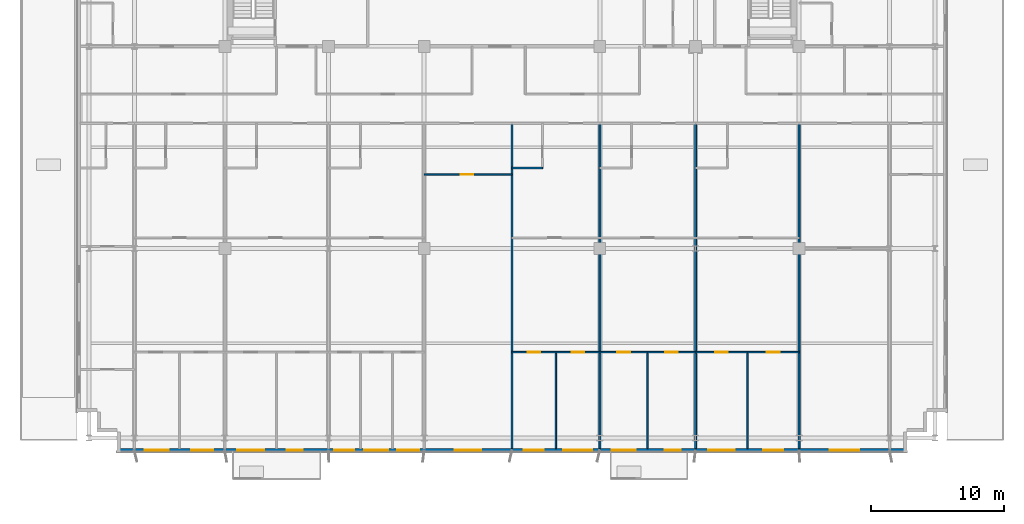
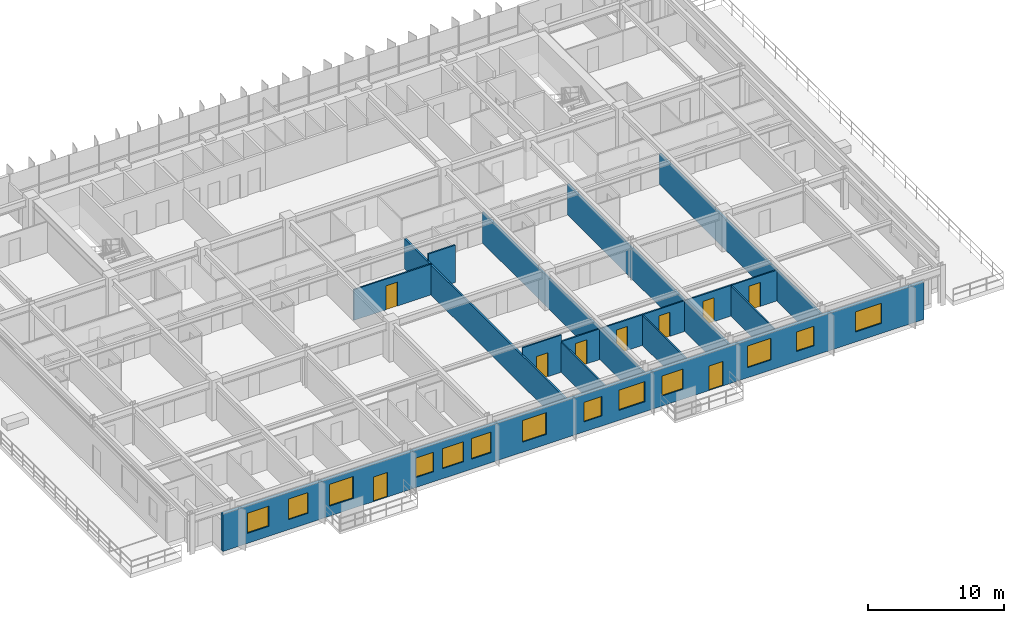
# One storey, part 18 of 26: 16 walls, 13 windows, 9 doors, 22 openings.
"""IFC4 building model written with IfcOpenShell, lengths in metres."""

import ifcopenshell
import ifcopenshell.guid

model = None  # the IFC model being written
_history = None  # IfcOwnerHistory: only IFC2X3 demands one
_inside = {}  # id of a spatial element -> (the spatial element, [elements in it])
_under = {}  # id of a project, library or spatial element -> (it, [spatial elements below it])
_declared = {}  # id of a project -> (the project, [libraries it declares])
_typed = {}  # id of a type object -> (the type object, [elements of that type])
_made_of = {}  # id of a material, layer set ... -> (it, [elements and type objects made of it])


def new_model(schema):
    """Start an empty IFC model of exactly this schema.

    Asked for "IFC4X3", IfcOpenShell would pick the latest addendum, in which some entities
    have other attributes; the version numbers below select the first issue.
    IFC2X3 requires an IfcOwnerHistory on every rooted entity: one is made here for all.
    """
    global model, _history
    if schema == "IFC4X3":
        model = ifcopenshell.file(schema_version=(4, 3, 0, 0))
    else:
        model = ifcopenshell.file(schema=schema)
    _inside.clear()
    _under.clear()
    _declared.clear()
    _typed.clear()
    _made_of.clear()
    _history = None
    if model.schema == "IFC2X3":
        org = make("IfcOrganization", Name="unknown")
        user = make(
            "IfcPersonAndOrganization",
            ThePerson=make("IfcPerson", FamilyName="unknown"),
            TheOrganization=org,
        )
        app = make(
            "IfcApplication",
            ApplicationDeveloper=org,
            Version="unknown",
            ApplicationFullName="unknown",
            ApplicationIdentifier="unknown",
        )
        _history = make(
            "IfcOwnerHistory",
            OwningUser=user,
            OwningApplication=app,
            ChangeAction="ADDED",
            CreationDate=0,
        )
    return model


def make(cls, **values):
    """One entity of the class cls with the attributes given. An attribute that is None is left unset."""
    return model.create_entity(
        cls, **{name: value for name, value in values.items() if value is not None}
    )


def rooted(cls, **values):
    """An entity with a GlobalId (a new one), such as an element, a storey or a relation."""
    return make(cls, GlobalId=ifcopenshell.guid.new(), OwnerHistory=_history, **values)


def si_unit(unit_type, name, prefix=None):
    """IfcSIUnit, for example si_unit("LENGTHUNIT", "METRE", prefix="MILLI")."""
    return make("IfcSIUnit", UnitType=unit_type, Prefix=prefix, Name=name)


def assignment(units):
    """IfcUnitAssignment: the units of a project."""
    return None if units is None else make("IfcUnitAssignment", Units=units)


def point(xyz):
    """IfcCartesianPoint."""
    return None if xyz is None else make("IfcCartesianPoint", Coordinates=xyz)


def direction(xyz):
    """IfcDirection."""
    return None if xyz is None else make("IfcDirection", DirectionRatios=xyz)


def frame(location, z_axis=None, x_axis=None):
    """IfcAxis2Placement3D, a coordinate frame: its origin and axes. An axis left out is left unset."""
    return make(
        "IfcAxis2Placement3D",
        Location=point(location),
        Axis=direction(z_axis),
        RefDirection=direction(x_axis),
    )


def frame_2d(location, x_axis=None):
    """IfcAxis2Placement2D, a coordinate frame in the plane: its origin and x axis."""
    return make(
        "IfcAxis2Placement2D", Location=point(location), RefDirection=direction(x_axis)
    )


def origin():
    """The frame at (0, 0, 0) with its axes left unset."""
    return frame((0.0, 0.0, 0.0))


def place(relative_to, where):
    """IfcLocalPlacement: puts the frame where relative to a parent placement (None: the world)."""
    return make(
        "IfcLocalPlacement", PlacementRelTo=relative_to, RelativePlacement=where
    )


def context(
    kind, dimensions, precision=None, world=None, true_north=None, identifier=None
):
    """IfcGeometricRepresentationContext, for example the 3D "Model" context."""
    return make(
        "IfcGeometricRepresentationContext",
        ContextIdentifier=identifier,
        ContextType=kind,
        CoordinateSpaceDimension=dimensions,
        Precision=precision,
        WorldCoordinateSystem=world,
        TrueNorth=true_north,
    )


def subcontext(parent, identifier, kind, view, scale=None):
    """IfcGeometricRepresentationSubContext, for example "Body" below "Model"."""
    return make(
        "IfcGeometricRepresentationSubContext",
        ContextIdentifier=identifier,
        ContextType=kind,
        ParentContext=parent,
        TargetScale=scale,
        TargetView=view,
    )


def project(units=None, contexts=None):
    """IfcProject with its units and contexts."""
    return rooted(
        "IfcProject",
        Name="project",
        RepresentationContexts=contexts,
        UnitsInContext=assignment(units),
    )


def spatial(cls, under=None, at=None, **own):
    """A site, building, storey or space (cls), placed at a placement, below another one or the project."""
    s = rooted(cls, ObjectPlacement=at, **own)
    if under is not None:
        _under.setdefault(under.id(), (under, []))[1].append(s)
    return s


def profile(cls, at=None, kind="AREA", **sizes):
    """A parametric profile (cls). Its sizes go by their IFC names, for example OverallWidth=200.0."""
    return make(cls, ProfileType=kind, Position=at, **sizes)


def rectangle(**sizes):
    """IfcRectangleProfileDef."""
    return profile("IfcRectangleProfileDef", **sizes)


def extrude(swept, where, along, depth):
    """IfcExtrudedAreaSolid: the profile swept, set in the frame where, extruded along a direction by depth."""
    return make(
        "IfcExtrudedAreaSolid",
        SweptArea=swept,
        Position=where,
        ExtrudedDirection=direction(along),
        Depth=depth,
    )


def shape(context_of_items, identifier, shape_type, items):
    """IfcShapeRepresentation: the items that make up one representation, for example the "Body"."""
    return make(
        "IfcShapeRepresentation",
        ContextOfItems=context_of_items,
        RepresentationIdentifier=identifier,
        RepresentationType=shape_type,
        Items=items,
    )


def source(mapping_origin, context_of_items, identifier, shape_type, items):
    """IfcRepresentationMap: a shape defined once, which mapped items show again and again."""
    return make(
        "IfcRepresentationMap",
        MappingOrigin=mapping_origin,
        MappedRepresentation=shape(context_of_items, identifier, shape_type, items),
    )


def transform(
    local_origin,
    x_axis=None,
    y_axis=None,
    z_axis=None,
    scale=None,
    scale2=None,
    scale3=None,
    uniform=True,
):
    """IfcCartesianTransformationOperator3D, or its non-uniform kind. x_axis, y_axis, z_axis: its Axis1, 2, 3."""
    if uniform:
        return make(
            "IfcCartesianTransformationOperator3D",
            Axis1=direction(x_axis),
            Axis2=direction(y_axis),
            LocalOrigin=point(local_origin),
            Scale=scale,
            Axis3=direction(z_axis),
        )
    return make(
        "IfcCartesianTransformationOperator3DnonUniform",
        Axis1=direction(x_axis),
        Axis2=direction(y_axis),
        LocalOrigin=point(local_origin),
        Scale=scale,
        Axis3=direction(z_axis),
        Scale2=scale2,
        Scale3=scale3,
    )


def mapped(mapping_source, mapping_target):
    """IfcMappedItem: shows the shape of a source again, moved by a transform."""
    return make(
        "IfcMappedItem", MappingSource=mapping_source, MappingTarget=mapping_target
    )


def material(Name=None, Category=None):
    """IfcMaterial."""
    return make("IfcMaterial", Name=Name, Category=Category)


def layer(
    of_material, thickness, ventilated=None, Name=None, Category=None, Priority=None
):
    """IfcMaterialLayer: one layer of a wall or slab, of a material (None: an air gap)."""
    return make(
        "IfcMaterialLayer",
        Material=of_material,
        LayerThickness=thickness,
        IsVentilated=ventilated,
        Name=Name,
        Category=Category,
        Priority=Priority,
    )


def layer_set(layers, Name=None):
    """IfcMaterialLayerSet."""
    return make("IfcMaterialLayerSet", MaterialLayers=layers, LayerSetName=Name)


def made_of(thing, what):
    """Note that an element or type object is made of a material, layer set ...; save() writes the relation."""
    if what is not None:
        _made_of.setdefault(what.id(), (what, []))[1].append(thing)
    return thing


def type_object(cls, material=None, **own):
    """A type object (cls), such as IfcWallType, which elements share."""
    return made_of(rooted(cls, **own), material)


def element(
    cls,
    number,
    at=None,
    inside=None,
    cuts=None,
    type_object=None,
    material=None,
    context=None,
    identifier="Body",
    shape_type=None,
    held_by="IfcProductDefinitionShape",
    body=None,
    shapes=None,
    **own,
):
    """One element of the class cls, such as IfcWall. Its Tag is "e" and its number.

    at: its placement. inside: the storey or other place that contains it. cuts: it is an
    opening in that element (IfcRelVoidsElement). A single representation is given by context,
    identifier, shape_type and body (its items); several are given by shapes. held_by: the class
    of the entity that holds the representations. save() writes the other relations.
    """
    e = rooted(cls, Tag="e%d" % number, ObjectPlacement=at, **own)
    if body is not None:
        shapes = [shape(context, identifier, shape_type, body)]
    if shapes is not None:
        e.Representation = make(held_by, Representations=shapes)
    if inside is not None:
        _inside.setdefault(inside.id(), (inside, []))[1].append(e)
    if cuts is not None:
        rooted(
            "IfcRelVoidsElement", RelatingBuildingElement=cuts, RelatedOpeningElement=e
        )
    if type_object is not None:
        _typed.setdefault(type_object.id(), (type_object, []))[1].append(e)
    return made_of(e, material)


def fill(opening, filler):
    """IfcRelFillsElement: the door or window that sits in an opening."""
    return rooted(
        "IfcRelFillsElement",
        RelatingOpeningElement=opening,
        RelatedBuildingElement=filler,
    )


def aggregate(whole, parts):
    """IfcRelAggregates: a whole, such as a stair, and the parts it consists of."""
    return rooted("IfcRelAggregates", RelatingObject=whole, RelatedObjects=parts)


def save(model, path):
    """Write the relations noted so far, then the file.

    IfcRelAggregates (storeys below a building ...), IfcRelContainedInSpatialStructure (elements
    in a storey), IfcRelDefinesByType, IfcRelAssociatesMaterial and IfcRelDeclares: one each for
    every whole, place, type object, material and project.
    """
    for whole, parts in _under.values():
        aggregate(whole, parts)
    for where, things in _inside.values():
        rooted(
            "IfcRelContainedInSpatialStructure",
            RelatedElements=things,
            RelatingStructure=where,
        )
    for kind, things in _typed.values():
        rooted("IfcRelDefinesByType", RelatedObjects=things, RelatingType=kind)
    for what, things in _made_of.values():
        rooted("IfcRelAssociatesMaterial", RelatedObjects=things, RelatingMaterial=what)
    for by, libraries in _declared.values():
        rooted("IfcRelDeclares", RelatingContext=by, RelatedDefinitions=libraries)
    model.write(path)


model = new_model("IFC4")

# Units and contexts
model_context = context("Model", 3, precision=1e-05, world=origin(), true_north=direction((0.0, 1.0)))
body_context = subcontext(model_context, "Body", "Model", "MODEL_VIEW")
ifc_project = project(units=[si_unit("LENGTHUNIT", "METRE"), si_unit("AREAUNIT", "SQUARE_METRE"), si_unit("VOLUMEUNIT", "CUBIC_METRE"), si_unit("PLANEANGLEUNIT", "RADIAN"), si_unit("MASSUNIT", "GRAM", prefix="KILO")], contexts=[model_context])

# Site, building, storey
site_placement = place(None, origin())
site = spatial("IfcSite", under=ifc_project, at=site_placement, CompositionType="ELEMENT")
building_placement = place(site_placement, origin())
building = spatial("IfcBuilding", under=site, at=building_placement, Name="Trelvane Seafront Commons", CompositionType="ELEMENT")
storey_placement = place(building_placement, frame((0.0, 0.0, 23.5)))
storey = spatial("IfcBuildingStorey", under=building, at=storey_placement, Name="L05", CompositionType="ELEMENT", Elevation=23.5)

# Wall, openings, doors, windows
ifc_material_1 = material(Name="Precast concrete C40/50", Category="concrete")
ifc_layer_1 = layer(ifc_material_1, 0.260009765625, Name="ARCH-WALL-EXT260")
ifc_layer_set_1 = layer_set([ifc_layer_1], Name="Precast concrete C40/50")
wall_type_1 = type_object("IfcWallType", Name="ARCH-WALL-EXT260", PredefinedType="SOLIDWALL", material=ifc_layer_set_1)
wall_1_placement = place(storey_placement, frame((66.89990234375, 3.030029296875, 0.0), z_axis=(0.0, 0.0, 1.0), x_axis=(-1.0, 0.0, 0.0)))
wall_1 = element("IfcWall", 1, at=wall_1_placement, inside=storey, type_object=wall_type_1, Name="EW-L05-00064", PredefinedType="SOLIDWALL", context=body_context, shape_type="SweptSolid", body=[
    extrude(rectangle(XDim=59.39990234375, YDim=0.260009765625, at=frame_2d((29.699951171875, 0.0))), origin(), (0.0, 0.0, 1.0), 3.340087890625),
])
opening_1_placement = place(wall_1_placement, frame((3.60009765625, 0.0, 0.89990234375)))
opening_1 = element("IfcOpeningElement", 2, at=opening_1_placement, cuts=wall_1, Name="Opening W02", PredefinedType="OPENING", context=body_context, shape_type="SweptSolid", body=[
    extrude(rectangle(XDim=2.199951171875, YDim=1.800048828125, at=frame_2d((1.10009765625, 0.89990234375))), frame((0.0, 0.139892578125, 0.0), z_axis=(0.0, -1.0, 0.0), x_axis=(1.0, 0.0, 0.0)), (0.0, 0.0, 1.0), 0.280029296875),
])
opening_2_placement = place(wall_1_placement, frame((9.300048828125, 0.0, 0.89990234375)))
opening_2 = element("IfcOpeningElement", 3, at=opening_2_placement, cuts=wall_1, Name="Opening W03", PredefinedType="OPENING", context=body_context, shape_type="SweptSolid", body=[
    extrude(rectangle(XDim=1.5, YDim=1.75, at=frame_2d((0.75, 0.875))), frame((0.0, 0.139892578125, 0.0), z_axis=(0.0, -1.0, 0.0), x_axis=(1.0, 0.0, 0.0)), (0.0, 0.0, 1.0), 0.280029296875),
])
opening_3_placement = place(wall_1_placement, frame((12.949951171875, 0.0, 0.89990234375)))
opening_3 = element("IfcOpeningElement", 4, at=opening_3_placement, cuts=wall_1, Name="Opening W06", PredefinedType="OPENING", context=body_context, shape_type="SweptSolid", body=[
    extrude(rectangle(XDim=2.0, YDim=1.949951171875, at=frame_2d((1.0, 0.97509765625))), frame((0.0, 0.139892578125, 0.0), z_axis=(0.0, -1.0, 0.0), x_axis=(1.0, 0.0, 0.0)), (0.0, 0.0, 1.0), 0.280029296875),
])
opening_4_placement = place(wall_1_placement, frame((17.007080078125, 0.0, 0.0)))
opening_4 = element("IfcOpeningElement", 5, at=opening_4_placement, cuts=wall_1, Name="Opening BD-L05-15", PredefinedType="OPENING", context=body_context, shape_type="SweptSolid", body=[
    extrude(rectangle(XDim=1.199951171875, YDim=2.199951171875, at=frame_2d((0.60009765625, 1.10009765625))), frame((0.0, 0.139892578125, 0.0), z_axis=(0.0, -1.0, 0.0), x_axis=(1.0, 0.0, 0.0)), (0.0, 0.0, 1.0), 0.280029296875),
])
opening_5_placement = place(wall_1_placement, frame((20.39990234375, 0.0, 0.89990234375)))
opening_5 = element("IfcOpeningElement", 6, at=opening_5_placement, cuts=wall_1, Name="Opening W01", PredefinedType="OPENING", context=body_context, shape_type="SweptSolid", body=[
    extrude(rectangle(XDim=1.800048828125, YDim=1.800048828125, at=frame_2d((0.89990234375, 0.89990234375))), frame((0.0, 0.139892578125, 0.0), z_axis=(0.0, -1.0, 0.0), x_axis=(1.0, 0.0, 0.0)), (0.0, 0.0, 1.0), 0.280029296875),
])
opening_6_placement = place(wall_1_placement, frame((23.64990234375, 0.0, 0.89990234375)))
opening_6 = element("IfcOpeningElement", 7, at=opening_6_placement, cuts=wall_1, Name="Opening W02", PredefinedType="OPENING", context=body_context, shape_type="SweptSolid", body=[
    extrude(rectangle(XDim=2.199951171875, YDim=1.800048828125, at=frame_2d((1.10009765625, 0.89990234375))), frame((0.0, 0.139892578125, 0.0), z_axis=(0.0, -1.0, 0.0), x_axis=(1.0, 0.0, 0.0)), (0.0, 0.0, 1.0), 0.280029296875),
])
opening_7_placement = place(wall_1_placement, frame((27.300048828125, 0.0, 0.89990234375)))
opening_7 = element("IfcOpeningElement", 8, at=opening_7_placement, cuts=wall_1, Name="Opening W03", PredefinedType="OPENING", context=body_context, shape_type="SweptSolid", body=[
    extrude(rectangle(XDim=1.5, YDim=1.75, at=frame_2d((0.75, 0.875))), frame((0.0, 0.139892578125, 0.0), z_axis=(0.0, -1.0, 0.0), x_axis=(1.0, 0.0, 0.0)), (0.0, 0.0, 1.0), 0.280029296875),
])
opening_8_placement = place(wall_1_placement, frame((32.0, 0.0, 0.89990234375)))
opening_8 = element("IfcOpeningElement", 9, at=opening_8_placement, cuts=wall_1, Name="Opening W06", PredefinedType="OPENING", context=body_context, shape_type="SweptSolid", body=[
    extrude(rectangle(XDim=2.0, YDim=1.949951171875, at=frame_2d((1.0, 0.97509765625))), frame((0.0, 0.139892578125, 0.0), z_axis=(0.0, -1.0, 0.0), x_axis=(1.0, 0.0, 0.0)), (0.0, 0.0, 1.0), 0.280029296875),
])
opening_9_placement = place(wall_1_placement, frame((36.675048828125, 0.0, 0.89990234375)))
opening_9 = element("IfcOpeningElement", 10, at=opening_9_placement, cuts=wall_1, Name="Opening W07", PredefinedType="OPENING", context=body_context, shape_type="SweptSolid", body=[
    extrude(rectangle(XDim=1.64990234375, YDim=1.85009765625, at=frame_2d((0.824951171875, 0.925048828125))), frame((0.0, 0.139892578125, 0.0), z_axis=(0.0, -1.0, 0.0), x_axis=(1.0, 0.0, 0.0)), (0.0, 0.0, 1.0), 0.280029296875),
])
opening_10_placement = place(wall_1_placement, frame((39.0, 0.0, 0.89990234375)))
opening_10 = element("IfcOpeningElement", 11, at=opening_10_placement, cuts=wall_1, Name="Opening W01", PredefinedType="OPENING", context=body_context, shape_type="SweptSolid", body=[
    extrude(rectangle(XDim=1.800048828125, YDim=1.800048828125, at=frame_2d((0.89990234375, 0.89990234375))), frame((0.0, 0.139892578125, 0.0), z_axis=(0.0, -1.0, 0.0), x_axis=(1.0, 0.0, 0.0)), (0.0, 0.0, 1.0), 0.280029296875),
])
opening_11_placement = place(wall_1_placement, frame((41.550048828125, 0.0, 0.89990234375)))
opening_11 = element("IfcOpeningElement", 12, at=opening_11_placement, cuts=wall_1, Name="Opening W03", PredefinedType="OPENING", context=body_context, shape_type="SweptSolid", body=[
    extrude(rectangle(XDim=1.5, YDim=1.75, at=frame_2d((0.75, 0.875))), frame((0.0, 0.139892578125, 0.0), z_axis=(0.0, -1.0, 0.0), x_axis=(1.0, 0.0, 0.0)), (0.0, 0.0, 1.0), 0.280029296875),
])
opening_12_placement = place(wall_1_placement, frame((45.43505859375, 0.0, 0.0)))
opening_12 = element("IfcOpeningElement", 13, at=opening_12_placement, cuts=wall_1, Name="Opening BD-L05-16", PredefinedType="OPENING", context=body_context, shape_type="SweptSolid", body=[
    extrude(rectangle(XDim=1.199951171875, YDim=2.199951171875, at=frame_2d((0.60009765625, 1.10009765625))), frame((0.0, 0.139892578125, 0.0), z_axis=(0.0, -1.0, 0.0), x_axis=(1.0, 0.0, 0.0)), (0.0, 0.0, 1.0), 0.280029296875),
])
opening_13_placement = place(wall_1_placement, frame((48.35009765625, 0.0, 0.89990234375)))
opening_13 = element("IfcOpeningElement", 14, at=opening_13_placement, cuts=wall_1, Name="Opening W06", PredefinedType="OPENING", context=body_context, shape_type="SweptSolid", body=[
    extrude(rectangle(XDim=2.0, YDim=1.949951171875, at=frame_2d((1.0, 0.97509765625))), frame((0.0, 0.139892578125, 0.0), z_axis=(0.0, -1.0, 0.0), x_axis=(1.0, 0.0, 0.0)), (0.0, 0.0, 1.0), 0.280029296875),
])
opening_14_placement = place(wall_1_placement, frame((52.175048828125, 0.0, 0.89990234375)))
opening_14 = element("IfcOpeningElement", 15, at=opening_14_placement, cuts=wall_1, Name="Opening W07", PredefinedType="OPENING", context=body_context, shape_type="SweptSolid", body=[
    extrude(rectangle(XDim=1.64990234375, YDim=1.85009765625, at=frame_2d((0.824951171875, 0.925048828125))), frame((0.0, 0.139892578125, 0.0), z_axis=(0.0, -1.0, 0.0), x_axis=(1.0, 0.0, 0.0)), (0.0, 0.0, 1.0), 0.280029296875),
])
opening_15_placement = place(wall_1_placement, frame((55.5, 0.0, 0.89990234375)))
opening_15 = element("IfcOpeningElement", 16, at=opening_15_placement, cuts=wall_1, Name="Opening W01", PredefinedType="OPENING", context=body_context, shape_type="SweptSolid", body=[
    extrude(rectangle(XDim=1.800048828125, YDim=1.800048828125, at=frame_2d((0.89990234375, 0.89990234375))), frame((0.0, 0.139892578125, 0.0), z_axis=(0.0, -1.0, 0.0), x_axis=(1.0, 0.0, 0.0)), (0.0, 0.0, 1.0), 0.280029296875),
])
ifc_material_2 = material(Name="Powder-coated aluminium frame", Category="aluminium")
door_type_1 = type_object("IfcDoorType", Name="ARCH-DR-BAL1200", OperationType="NOTDEFINED", PredefinedType="DOOR", material=ifc_material_2)
shared_shape_1 = source(origin(), body_context, "Body", "SweptSolid", [
    extrude(rectangle(XDim=1.199951171875, YDim=2.199951171875, at=frame_2d((0.60009765625, 1.10009765625))), frame((0.0, 0.02490234375, 0.0), z_axis=(0.0, -1.0, 0.0), x_axis=(1.0, 0.0, 0.0)), (0.0, 0.0, 1.0), 0.050048828125),
])
door_1_placement = place(opening_4_placement, origin())
door_1 = element("IfcDoor", 17, at=door_1_placement, inside=storey, type_object=door_type_1, Name="L05 Balcony Terrace Access Door", OperationType="SINGLE_SWING_LEFT", OverallHeight=2.199951171875, OverallWidth=1.199951171875, PredefinedType="DOOR", context=body_context, shape_type="MappedRepresentation", body=[
    mapped(shared_shape_1, transform((0.0, 0.0, 0.0), x_axis=(1.0, 0.0, 0.0), y_axis=(0.0, 1.0, 0.0), z_axis=(0.0, 0.0, 1.0), scale=1.0)),
])
fill(opening_4, door_1)
door_2_placement = place(opening_12_placement, origin())
door_2 = element("IfcDoor", 18, at=door_2_placement, inside=storey, type_object=door_type_1, Name="L05 Balcony Terrace Access Door", OperationType="SINGLE_SWING_LEFT", OverallHeight=2.199951171875, OverallWidth=1.199951171875, PredefinedType="DOOR", context=body_context, shape_type="MappedRepresentation", body=[
    mapped(shared_shape_1, transform((0.0, 0.0, 0.0), x_axis=(1.0, 0.0, 0.0), y_axis=(0.0, 1.0, 0.0), z_axis=(0.0, 0.0, 1.0), scale=1.0)),
])
fill(opening_12, door_2)
ifc_material_3 = material(Name="Low-E coastal double glazing", Category="glass")
window_type_1 = type_object("IfcWindowType", Name="ARCH-WIN-W02", PartitioningType="SINGLE_PANEL", PredefinedType="WINDOW", material=ifc_material_3)
shared_shape_2 = source(origin(), body_context, "Body", "SweptSolid", [
    extrude(rectangle(XDim=2.199951171875, YDim=1.800048828125, at=frame_2d((1.10009765625, 0.89990234375))), frame((0.0, 0.030029296875, 0.0), z_axis=(0.0, -1.0, 0.0), x_axis=(1.0, 0.0, 0.0)), (0.0, 0.0, 1.0), 0.06005859375),
])
window_1_placement = place(opening_1_placement, origin())
window_1 = element("IfcWindow", 19, at=window_1_placement, inside=storey, type_object=window_type_1, Name="WIN-L05-00087", OverallHeight=1.800048828125, OverallWidth=2.199951171875, PartitioningType="SINGLE_PANEL", PredefinedType="WINDOW", context=body_context, shape_type="MappedRepresentation", body=[
    mapped(shared_shape_2, transform((0.0, 0.0, 0.0), x_axis=(1.0, 0.0, 0.0), y_axis=(0.0, 1.0, 0.0), z_axis=(0.0, 0.0, 1.0), scale=1.0)),
])
fill(opening_1, window_1)
window_2_placement = place(opening_6_placement, origin())
window_2 = element("IfcWindow", 20, at=window_2_placement, inside=storey, type_object=window_type_1, Name="WIN-L05-00091", OverallHeight=1.800048828125, OverallWidth=2.199951171875, PartitioningType="SINGLE_PANEL", PredefinedType="WINDOW", context=body_context, shape_type="MappedRepresentation", body=[
    mapped(shared_shape_2, transform((0.0, 0.0, 0.0), x_axis=(1.0, 0.0, 0.0), y_axis=(0.0, 1.0, 0.0), z_axis=(0.0, 0.0, 1.0), scale=1.0)),
])
fill(opening_6, window_2)
window_type_2 = type_object("IfcWindowType", Name="ARCH-WIN-W03", PartitioningType="SINGLE_PANEL", PredefinedType="WINDOW", material=ifc_material_3)
shared_shape_3 = source(origin(), body_context, "Body", "SweptSolid", [
    extrude(rectangle(XDim=1.5, YDim=1.75, at=frame_2d((0.75, 0.875))), frame((0.0, 0.030029296875, 0.0), z_axis=(0.0, -1.0, 0.0), x_axis=(1.0, 0.0, 0.0)), (0.0, 0.0, 1.0), 0.06005859375),
])
window_3_placement = place(opening_2_placement, origin())
window_3 = element("IfcWindow", 21, at=window_3_placement, inside=storey, type_object=window_type_2, Name="WIN-L05-00088", OverallHeight=1.75, OverallWidth=1.5, PartitioningType="SINGLE_PANEL", PredefinedType="WINDOW", context=body_context, shape_type="MappedRepresentation", body=[
    mapped(shared_shape_3, transform((0.0, 0.0, 0.0), x_axis=(1.0, 0.0, 0.0), y_axis=(0.0, 1.0, 0.0), z_axis=(0.0, 0.0, 1.0), scale=1.0)),
])
fill(opening_2, window_3)
window_4_placement = place(opening_7_placement, origin())
window_4 = element("IfcWindow", 22, at=window_4_placement, inside=storey, type_object=window_type_2, Name="WIN-L05-00092", OverallHeight=1.75, OverallWidth=1.5, PartitioningType="SINGLE_PANEL", PredefinedType="WINDOW", context=body_context, shape_type="MappedRepresentation", body=[
    mapped(shared_shape_3, transform((0.0, 0.0, 0.0), x_axis=(1.0, 0.0, 0.0), y_axis=(0.0, 1.0, 0.0), z_axis=(0.0, 0.0, 1.0), scale=1.0)),
])
fill(opening_7, window_4)
window_5_placement = place(opening_11_placement, origin())
window_5 = element("IfcWindow", 23, at=window_5_placement, inside=storey, type_object=window_type_2, Name="WIN-L05-00096", OverallHeight=1.75, OverallWidth=1.5, PartitioningType="SINGLE_PANEL", PredefinedType="WINDOW", context=body_context, shape_type="MappedRepresentation", body=[
    mapped(shared_shape_3, transform((0.0, 0.0, 0.0), x_axis=(1.0, 0.0, 0.0), y_axis=(0.0, 1.0, 0.0), z_axis=(0.0, 0.0, 1.0), scale=1.0)),
])
fill(opening_11, window_5)
window_type_3 = type_object("IfcWindowType", Name="ARCH-WIN-W06", PartitioningType="SINGLE_PANEL", PredefinedType="WINDOW", material=ifc_material_3)
shared_shape_4 = source(origin(), body_context, "Body", "SweptSolid", [
    extrude(rectangle(XDim=2.0, YDim=1.949951171875, at=frame_2d((1.0, 0.97509765625))), frame((0.0, 0.030029296875, 0.0), z_axis=(0.0, -1.0, 0.0), x_axis=(1.0, 0.0, 0.0)), (0.0, 0.0, 1.0), 0.06005859375),
])
window_6_placement = place(opening_3_placement, origin())
window_6 = element("IfcWindow", 24, at=window_6_placement, inside=storey, type_object=window_type_3, Name="WIN-L05-00089", OverallHeight=1.949951171875, OverallWidth=2.0, PartitioningType="SINGLE_PANEL", PredefinedType="WINDOW", context=body_context, shape_type="MappedRepresentation", body=[
    mapped(shared_shape_4, transform((0.0, 0.0, 0.0), x_axis=(1.0, 0.0, 0.0), y_axis=(0.0, 1.0, 0.0), z_axis=(0.0, 0.0, 1.0), scale=1.0)),
])
fill(opening_3, window_6)
window_7_placement = place(opening_8_placement, origin())
window_7 = element("IfcWindow", 25, at=window_7_placement, inside=storey, type_object=window_type_3, Name="WIN-L05-00093", OverallHeight=1.949951171875, OverallWidth=2.0, PartitioningType="SINGLE_PANEL", PredefinedType="WINDOW", context=body_context, shape_type="MappedRepresentation", body=[
    mapped(shared_shape_4, transform((0.0, 0.0, 0.0), x_axis=(1.0, 0.0, 0.0), y_axis=(0.0, 1.0, 0.0), z_axis=(0.0, 0.0, 1.0), scale=1.0)),
])
fill(opening_8, window_7)
window_8_placement = place(opening_13_placement, origin())
window_8 = element("IfcWindow", 26, at=window_8_placement, inside=storey, type_object=window_type_3, Name="WIN-L05-00097", OverallHeight=1.949951171875, OverallWidth=2.0, PartitioningType="SINGLE_PANEL", PredefinedType="WINDOW", context=body_context, shape_type="MappedRepresentation", body=[
    mapped(shared_shape_4, transform((0.0, 0.0, 0.0), x_axis=(1.0, 0.0, 0.0), y_axis=(0.0, 1.0, 0.0), z_axis=(0.0, 0.0, 1.0), scale=1.0)),
])
fill(opening_13, window_8)
window_type_4 = type_object("IfcWindowType", Name="ARCH-WIN-W01", PartitioningType="SINGLE_PANEL", PredefinedType="WINDOW", material=ifc_material_3)
shared_shape_5 = source(origin(), body_context, "Body", "SweptSolid", [
    extrude(rectangle(XDim=1.800048828125, YDim=1.800048828125, at=frame_2d((0.89990234375, 0.89990234375))), frame((0.0, 0.030029296875, 0.0), z_axis=(0.0, -1.0, 0.0), x_axis=(1.0, 0.0, 0.0)), (0.0, 0.0, 1.0), 0.06005859375),
])
window_9_placement = place(opening_5_placement, origin())
window_9 = element("IfcWindow", 27, at=window_9_placement, inside=storey, type_object=window_type_4, Name="WIN-L05-00090", OverallHeight=1.800048828125, OverallWidth=1.800048828125, PartitioningType="SINGLE_PANEL", PredefinedType="WINDOW", context=body_context, shape_type="MappedRepresentation", body=[
    mapped(shared_shape_5, transform((0.0, 0.0, 0.0), x_axis=(1.0, 0.0, 0.0), y_axis=(0.0, 1.0, 0.0), z_axis=(0.0, 0.0, 1.0), scale=1.0)),
])
fill(opening_5, window_9)
window_10_placement = place(opening_10_placement, origin())
window_10 = element("IfcWindow", 28, at=window_10_placement, inside=storey, type_object=window_type_4, Name="WIN-L05-00095", OverallHeight=1.800048828125, OverallWidth=1.800048828125, PartitioningType="SINGLE_PANEL", PredefinedType="WINDOW", context=body_context, shape_type="MappedRepresentation", body=[
    mapped(shared_shape_5, transform((0.0, 0.0, 0.0), x_axis=(1.0, 0.0, 0.0), y_axis=(0.0, 1.0, 0.0), z_axis=(0.0, 0.0, 1.0), scale=1.0)),
])
fill(opening_10, window_10)
window_11_placement = place(opening_15_placement, origin())
window_11 = element("IfcWindow", 29, at=window_11_placement, inside=storey, type_object=window_type_4, Name="WIN-L05-00099", OverallHeight=1.800048828125, OverallWidth=1.800048828125, PartitioningType="SINGLE_PANEL", PredefinedType="WINDOW", context=body_context, shape_type="MappedRepresentation", body=[
    mapped(shared_shape_5, transform((0.0, 0.0, 0.0), x_axis=(1.0, 0.0, 0.0), y_axis=(0.0, 1.0, 0.0), z_axis=(0.0, 0.0, 1.0), scale=1.0)),
])
fill(opening_15, window_11)
window_type_5 = type_object("IfcWindowType", Name="ARCH-WIN-W07", PartitioningType="SINGLE_PANEL", PredefinedType="WINDOW", material=ifc_material_3)
shared_shape_6 = source(origin(), body_context, "Body", "SweptSolid", [
    extrude(rectangle(XDim=1.64990234375, YDim=1.85009765625, at=frame_2d((0.824951171875, 0.925048828125))), frame((0.0, 0.030029296875, 0.0), z_axis=(0.0, -1.0, 0.0), x_axis=(1.0, 0.0, 0.0)), (0.0, 0.0, 1.0), 0.06005859375),
])
window_12_placement = place(opening_9_placement, origin())
window_12 = element("IfcWindow", 30, at=window_12_placement, inside=storey, type_object=window_type_5, Name="WIN-L05-00094", OverallHeight=1.85009765625, OverallWidth=1.64990234375, PartitioningType="SINGLE_PANEL", PredefinedType="WINDOW", context=body_context, shape_type="MappedRepresentation", body=[
    mapped(shared_shape_6, transform((0.0, 0.0, 0.0), x_axis=(1.0, 0.0, 0.0), y_axis=(0.0, 1.0, 0.0), z_axis=(0.0, 0.0, 1.0), scale=1.0)),
])
fill(opening_9, window_12)
window_13_placement = place(opening_14_placement, origin())
window_13 = element("IfcWindow", 31, at=window_13_placement, inside=storey, type_object=window_type_5, Name="WIN-L05-00098", OverallHeight=1.85009765625, OverallWidth=1.64990234375, PartitioningType="SINGLE_PANEL", PredefinedType="WINDOW", context=body_context, shape_type="MappedRepresentation", body=[
    mapped(shared_shape_6, transform((0.0, 0.0, 0.0), x_axis=(1.0, 0.0, 0.0), y_axis=(0.0, 1.0, 0.0), z_axis=(0.0, 0.0, 1.0), scale=1.0)),
])
fill(opening_14, window_13)

# Wall, opening, door
ifc_material_4 = material(Name="Gypsum Drywall Acoustic Partition")
ifc_layer_2 = layer(ifc_material_4, 0.1201171875, Name="ARCH-WALL-PART120")
ifc_layer_set_2 = layer_set([ifc_layer_2], Name="Gypsum Drywall Acoustic Partition")
wall_type_2 = type_object("IfcWallType", Name="ARCH-WALL-PART120", PredefinedType="PARTITIONING", material=ifc_layer_set_2)
wall_2_placement = place(storey_placement, frame((30.60009765625, 23.75, 0.0), z_axis=(0.0, 0.0, 1.0), x_axis=(1.0, 0.0, 0.0)))
wall_2 = element("IfcWall", 32, at=wall_2_placement, inside=storey, type_object=wall_type_2, Name="W-L05-U5-DIV-102", PredefinedType="PARTITIONING", context=body_context, shape_type="SweptSolid", body=[
    extrude(rectangle(XDim=6.599853515625, YDim=0.1201171875, at=frame_2d((3.2998046875, 0.0))), origin(), (0.0, 0.0, 1.0), 2.751953125),
])
opening_16_placement = place(wall_2_placement, frame((2.73388671875, 0.0, 0.0)))
opening_16 = element("IfcOpeningElement", 33, at=opening_16_placement, cuts=wall_2, Name="Opening D-L05-54", PredefinedType="OPENING", context=body_context, shape_type="SweptSolid", body=[
    extrude(rectangle(XDim=0.949951171875, YDim=2.14990234375, at=frame_2d((0.47509765625, 1.074951171875))), frame((0.0, 0.070068359375, 0.0), z_axis=(0.0, -1.0, 0.0), x_axis=(1.0, 0.0, 0.0)), (0.0, 0.0, 1.0), 0.14013671875),
])
ifc_material_5 = material(Name="Acoustic timber door leaf", Category="wood")
door_type_2 = type_object("IfcDoorType", Name="ARCH-DR-INT950", OperationType="NOTDEFINED", PredefinedType="DOOR", material=ifc_material_5)
shared_shape_7 = source(origin(), body_context, "Body", "SweptSolid", [
    extrude(rectangle(XDim=0.949951171875, YDim=2.14990234375, at=frame_2d((0.47509765625, 1.074951171875))), frame((0.0, 0.02490234375, 0.0), z_axis=(0.0, -1.0, 0.0), x_axis=(1.0, 0.0, 0.0)), (0.0, 0.0, 1.0), 0.050048828125),
])
door_3_placement = place(opening_16_placement, origin())
door_3 = element("IfcDoor", 34, at=door_3_placement, inside=storey, type_object=door_type_2, Name="L05 Door 54", OperationType="SINGLE_SWING_RIGHT", OverallHeight=2.14990234375, OverallWidth=0.949951171875, PredefinedType="DOOR", context=body_context, shape_type="MappedRepresentation", body=[
    mapped(shared_shape_7, transform((0.0, 0.0, 0.0), x_axis=(1.0, 0.0, 0.0), y_axis=(0.0, 1.0, 0.0), z_axis=(0.0, 0.0, 1.0), scale=1.0)),
])
fill(opening_16, door_3)

# Wall
wall_3_placement = place(storey_placement, frame((37.199951171875, 24.25, 0.0), z_axis=(0.0, 0.0, 1.0), x_axis=(1.0, 0.0, 0.0)))
element("IfcWall", 35, at=wall_3_placement, inside=storey, type_object=wall_type_2, Name="W-L05-U6-BS-105", PredefinedType="PARTITIONING", context=body_context, shape_type="SweptSolid", body=[
    extrude(rectangle(XDim=2.2939453125, YDim=0.1201171875, at=frame_2d((1.14697265625, 0.0))), origin(), (0.0, 0.0, 1.0), 3.340087890625),
])

# Wall, opening, door
wall_4_placement = place(storey_placement, frame((37.199951171875, 10.39990234375, 0.0), z_axis=(0.0, 0.0, 1.0), x_axis=(1.0, 0.0, 0.0)))
wall_4 = element("IfcWall", 36, at=wall_4_placement, inside=storey, type_object=wall_type_2, Name="W-L05-U6-YM-1-107", PredefinedType="PARTITIONING", context=body_context, shape_type="SweptSolid", body=[
    extrude(rectangle(XDim=3.300048828125, YDim=0.1201171875, at=frame_2d((1.64990234375, 0.0))), origin(), (0.0, 0.0, 1.0), 3.340087890625),
])
opening_17_placement = place(wall_4_placement, frame((1.175048828125, 0.0, 0.0)))
opening_17 = element("IfcOpeningElement", 37, at=opening_17_placement, cuts=wall_4, Name="Opening D-L05-58", PredefinedType="OPENING", context=body_context, shape_type="SweptSolid", body=[
    extrude(rectangle(XDim=0.949951171875, YDim=2.14990234375, at=frame_2d((0.47509765625, 1.074951171875))), frame((0.0, 0.070068359375, 0.0), z_axis=(0.0, -1.0, 0.0), x_axis=(1.0, 0.0, 0.0)), (0.0, 0.0, 1.0), 0.14013671875),
])
door_4_placement = place(opening_17_placement, origin())
door_4 = element("IfcDoor", 38, at=door_4_placement, inside=storey, type_object=door_type_2, Name="L05 Door 58", OperationType="SINGLE_SWING_RIGHT", OverallHeight=2.14990234375, OverallWidth=0.949951171875, PredefinedType="DOOR", context=body_context, shape_type="MappedRepresentation", body=[
    mapped(shared_shape_7, transform((0.0, 0.0, 0.0), x_axis=(1.0, 0.0, 0.0), y_axis=(0.0, 1.0, 0.0), z_axis=(0.0, 0.0, 1.0), scale=1.0)),
])
fill(opening_17, door_4)

wall_5_placement = place(storey_placement, frame((40.5, 10.39990234375, 0.0), z_axis=(0.0, 0.0, 1.0), x_axis=(1.0, 0.0, 0.0)))
wall_5 = element("IfcWall", 39, at=wall_5_placement, inside=storey, type_object=wall_type_2, Name="W-L05-U6-YM-2-108", PredefinedType="PARTITIONING", context=body_context, shape_type="SweptSolid", body=[
    extrude(rectangle(XDim=3.300048828125, YDim=0.1201171875, at=frame_2d((1.64990234375, 0.0))), origin(), (0.0, 0.0, 1.0), 2.751953125),
])
opening_18_placement = place(wall_5_placement, frame((1.175048828125, 0.0, 0.0)))
opening_18 = element("IfcOpeningElement", 40, at=opening_18_placement, cuts=wall_5, Name="Opening D-L05-59", PredefinedType="OPENING", context=body_context, shape_type="SweptSolid", body=[
    extrude(rectangle(XDim=0.949951171875, YDim=2.14990234375, at=frame_2d((0.47509765625, 1.074951171875))), frame((0.0, 0.070068359375, 0.0), z_axis=(0.0, -1.0, 0.0), x_axis=(1.0, 0.0, 0.0)), (0.0, 0.0, 1.0), 0.14013671875),
])
door_5_placement = place(opening_18_placement, origin())
door_5 = element("IfcDoor", 41, at=door_5_placement, inside=storey, type_object=door_type_2, Name="L05 Door 59", OperationType="SINGLE_SWING_LEFT", OverallHeight=2.14990234375, OverallWidth=0.949951171875, PredefinedType="DOOR", context=body_context, shape_type="MappedRepresentation", body=[
    mapped(shared_shape_7, transform((0.0, 0.0, 0.0), x_axis=(1.0, 0.0, 0.0), y_axis=(0.0, 1.0, 0.0), z_axis=(0.0, 0.0, 1.0), scale=1.0)),
])
fill(opening_18, door_5)

# Wall
wall_6_placement = place(storey_placement, frame((40.5, 3.14501953125, 0.0), z_axis=(0.0, 0.0, 1.0), x_axis=(0.0, 1.0, 0.0)))
element("IfcWall", 42, at=wall_6_placement, inside=storey, type_object=wall_type_2, Name="W-L05-U6-BDV-1-109", PredefinedType="PARTITIONING", context=body_context, shape_type="SweptSolid", body=[
    extrude(rectangle(XDim=7.2548828125, YDim=0.1201171875, at=frame_2d((3.62744140625, 0.0))), origin(), (0.0, 0.0, 1.0), 2.68994140625),
])

# Wall, opening, door
wall_7_placement = place(storey_placement, frame((43.800048828125, 10.39990234375, 0.0), z_axis=(0.0, 0.0, 1.0), x_axis=(1.0, 0.0, 0.0)))
wall_7 = element("IfcWall", 43, at=wall_7_placement, inside=storey, type_object=wall_type_2, Name="W-L05-U7-YM-1-114", PredefinedType="PARTITIONING", context=body_context, shape_type="SweptSolid", body=[
    extrude(rectangle(XDim=3.599853515625, YDim=0.1201171875, at=frame_2d((1.7998046875, 0.0))), origin(), (0.0, 0.0, 1.0), 2.751953125),
])
opening_19_placement = place(wall_7_placement, frame((1.324951171875, 0.0, 0.0)))
opening_19 = element("IfcOpeningElement", 44, at=opening_19_placement, cuts=wall_7, Name="Opening D-L05-63", PredefinedType="OPENING", context=body_context, shape_type="SweptSolid", body=[
    extrude(rectangle(XDim=0.949951171875, YDim=2.14990234375, at=frame_2d((0.47509765625, 1.074951171875))), frame((0.0, 0.070068359375, 0.0), z_axis=(0.0, -1.0, 0.0), x_axis=(1.0, 0.0, 0.0)), (0.0, 0.0, 1.0), 0.14013671875),
])
door_6_placement = place(opening_19_placement, origin())
door_6 = element("IfcDoor", 45, at=door_6_placement, inside=storey, type_object=door_type_2, Name="L05 Door 63", OperationType="SINGLE_SWING_LEFT", OverallHeight=2.14990234375, OverallWidth=0.949951171875, PredefinedType="DOOR", context=body_context, shape_type="MappedRepresentation", body=[
    mapped(shared_shape_7, transform((0.0, 0.0, 0.0), x_axis=(1.0, 0.0, 0.0), y_axis=(0.0, 1.0, 0.0), z_axis=(0.0, 0.0, 1.0), scale=1.0)),
])
fill(opening_19, door_6)

wall_8_placement = place(storey_placement, frame((47.39990234375, 10.39990234375, 0.0), z_axis=(0.0, 0.0, 1.0), x_axis=(1.0, 0.0, 0.0)))
wall_8 = element("IfcWall", 46, at=wall_8_placement, inside=storey, type_object=wall_type_2, Name="W-L05-U7-YM-2-115", PredefinedType="PARTITIONING", context=body_context, shape_type="SweptSolid", body=[
    extrude(rectangle(XDim=3.60009765625, YDim=0.1201171875, at=frame_2d((1.800048828125, 0.0))), origin(), (0.0, 0.0, 1.0), 2.751953125),
])
opening_20_placement = place(wall_8_placement, frame((1.324951171875, 0.0, 0.0)))
opening_20 = element("IfcOpeningElement", 47, at=opening_20_placement, cuts=wall_8, Name="Opening D-L05-64", PredefinedType="OPENING", context=body_context, shape_type="SweptSolid", body=[
    extrude(rectangle(XDim=0.949951171875, YDim=2.14990234375, at=frame_2d((0.47509765625, 1.074951171875))), frame((0.0, 0.070068359375, 0.0), z_axis=(0.0, -1.0, 0.0), x_axis=(1.0, 0.0, 0.0)), (0.0, 0.0, 1.0), 0.14013671875),
])
door_7_placement = place(opening_20_placement, origin())
door_7 = element("IfcDoor", 48, at=door_7_placement, inside=storey, type_object=door_type_2, Name="L05 Door 64", OperationType="SINGLE_SWING_RIGHT", OverallHeight=2.14990234375, OverallWidth=0.949951171875, PredefinedType="DOOR", context=body_context, shape_type="MappedRepresentation", body=[
    mapped(shared_shape_7, transform((0.0, 0.0, 0.0), x_axis=(1.0, 0.0, 0.0), y_axis=(0.0, 1.0, 0.0), z_axis=(0.0, 0.0, 1.0), scale=1.0)),
])
fill(opening_20, door_7)

# Wall
wall_9_placement = place(storey_placement, frame((47.39990234375, 3.14501953125, 0.0), z_axis=(0.0, 0.0, 1.0), x_axis=(0.0, 1.0, 0.0)))
element("IfcWall", 49, at=wall_9_placement, inside=storey, type_object=wall_type_2, Name="W-L05-U7-BDV-1-116", PredefinedType="PARTITIONING", context=body_context, shape_type="SweptSolid", body=[
    extrude(rectangle(XDim=7.2548828125, YDim=0.1201171875, at=frame_2d((3.62744140625, 0.0))), origin(), (0.0, 0.0, 1.0), 2.68994140625),
])

# Wall, opening, door
wall_10_placement = place(storey_placement, frame((51.0, 10.39990234375, 0.0), z_axis=(0.0, 0.0, 1.0), x_axis=(1.0, 0.0, 0.0)))
wall_10 = element("IfcWall", 50, at=wall_10_placement, inside=storey, type_object=wall_type_2, Name="W-L05-U8-YM-1-121", PredefinedType="PARTITIONING", context=body_context, shape_type="SweptSolid", body=[
    extrude(rectangle(XDim=3.89990234375, YDim=0.1201171875, at=frame_2d((1.949951171875, 0.0))), origin(), (0.0, 0.0, 1.0), 2.751953125),
])
opening_21_placement = place(wall_10_placement, frame((1.47509765625, 0.0, 0.0)))
opening_21 = element("IfcOpeningElement", 51, at=opening_21_placement, cuts=wall_10, Name="Opening D-L05-68", PredefinedType="OPENING", context=body_context, shape_type="SweptSolid", body=[
    extrude(rectangle(XDim=0.949951171875, YDim=2.14990234375, at=frame_2d((0.47509765625, 1.074951171875))), frame((0.0, 0.070068359375, 0.0), z_axis=(0.0, -1.0, 0.0), x_axis=(1.0, 0.0, 0.0)), (0.0, 0.0, 1.0), 0.14013671875),
])
door_8_placement = place(opening_21_placement, origin())
door_8 = element("IfcDoor", 52, at=door_8_placement, inside=storey, type_object=door_type_2, Name="L05 Door 68", OperationType="SINGLE_SWING_RIGHT", OverallHeight=2.14990234375, OverallWidth=0.949951171875, PredefinedType="DOOR", context=body_context, shape_type="MappedRepresentation", body=[
    mapped(shared_shape_7, transform((0.0, 0.0, 0.0), x_axis=(1.0, 0.0, 0.0), y_axis=(0.0, 1.0, 0.0), z_axis=(0.0, 0.0, 1.0), scale=1.0)),
])
fill(opening_21, door_8)

wall_11_placement = place(storey_placement, frame((54.89990234375, 10.39990234375, 0.0), z_axis=(0.0, 0.0, 1.0), x_axis=(1.0, 0.0, 0.0)))
wall_11 = element("IfcWall", 53, at=wall_11_placement, inside=storey, type_object=wall_type_2, Name="W-L05-U8-YM-2-122", PredefinedType="PARTITIONING", context=body_context, shape_type="SweptSolid", body=[
    extrude(rectangle(XDim=3.900146484375, YDim=0.1201171875, at=frame_2d((1.9501953125, 0.0))), origin(), (0.0, 0.0, 1.0), 2.751953125),
])
opening_22_placement = place(wall_11_placement, frame((1.47509765625, 0.0, 0.0)))
opening_22 = element("IfcOpeningElement", 54, at=opening_22_placement, cuts=wall_11, Name="Opening D-L05-69", PredefinedType="OPENING", context=body_context, shape_type="SweptSolid", body=[
    extrude(rectangle(XDim=0.949951171875, YDim=2.14990234375, at=frame_2d((0.47509765625, 1.074951171875))), frame((0.0, 0.070068359375, 0.0), z_axis=(0.0, -1.0, 0.0), x_axis=(1.0, 0.0, 0.0)), (0.0, 0.0, 1.0), 0.14013671875),
])
door_9_placement = place(opening_22_placement, origin())
door_9 = element("IfcDoor", 55, at=door_9_placement, inside=storey, type_object=door_type_2, Name="L05 Door 69", OperationType="SINGLE_SWING_LEFT", OverallHeight=2.14990234375, OverallWidth=0.949951171875, PredefinedType="DOOR", context=body_context, shape_type="MappedRepresentation", body=[
    mapped(shared_shape_7, transform((0.0, 0.0, 0.0), x_axis=(1.0, 0.0, 0.0), y_axis=(0.0, 1.0, 0.0), z_axis=(0.0, 0.0, 1.0), scale=1.0)),
])
fill(opening_22, door_9)

# Walls
wall_12_placement = place(storey_placement, frame((54.89990234375, 3.14501953125, 0.0), z_axis=(0.0, 0.0, 1.0), x_axis=(0.0, 1.0, 0.0)))
element("IfcWall", 56, at=wall_12_placement, inside=storey, type_object=wall_type_2, Name="W-L05-U8-BDV-1-123", PredefinedType="PARTITIONING", context=body_context, shape_type="SweptSolid", body=[
    extrude(rectangle(XDim=7.2548828125, YDim=0.1201171875, at=frame_2d((3.62744140625, 0.0))), origin(), (0.0, 0.0, 1.0), 2.68994140625),
])
ifc_layer_3 = layer(ifc_material_4, 0.14990234375, Name="ARCH-WALL-PART150")
ifc_layer_set_3 = layer_set([ifc_layer_3], Name="Gypsum Drywall Acoustic Partition")
wall_type_3 = type_object("IfcWallType", Name="ARCH-WALL-PART150", PredefinedType="PARTITIONING", material=ifc_layer_set_3)
wall_13_placement = place(storey_placement, frame((37.199951171875, 3.14501953125, 0.0), z_axis=(0.0, 0.0, 1.0), x_axis=(0.0, 1.0, 0.0)))
element("IfcWall", 57, at=wall_13_placement, inside=storey, type_object=wall_type_3, Name="W-L05-PW-5-068", PredefinedType="PARTITIONING", context=body_context, shape_type="SweptSolid", body=[
    extrude(rectangle(XDim=24.455078125, YDim=0.14990234375, at=frame_2d((12.2275390625, 0.0))), origin(), (0.0, 0.0, 1.0), 2.68994140625),
])
for number, where, z_axis, x_axis, name in (
    (58, (43.800048828125, 3.14501953125, 0.0), (0.0, 0.0, 1.0), (0.0, 1.0, 0.0), "W-L05-PW-6-069"),
    (59, (51.0, 3.14501953125, 0.0), (0.0, 0.0, 1.0), (0.0, 1.0, 0.0), "W-L05-PW-7-070"),
    (60, (58.800048828125, 3.14501953125, 0.0), (0.0, 0.0, 1.0), (0.0, 1.0, 0.0), "W-L05-PW-8-071"),
):
    element("IfcWall", number, at=place(storey_placement, frame(where, z_axis=z_axis, x_axis=x_axis)), inside=storey, type_object=wall_type_3, Name=name, PredefinedType="PARTITIONING", context=body_context, shape_type="SweptSolid", body=[
        extrude(rectangle(XDim=24.455078125, YDim=0.14990234375, at=frame_2d((12.2275390625, 0.0))), origin(), (0.0, 0.0, 1.0), 2.751953125),
    ])

save(model, "model.ifc")
